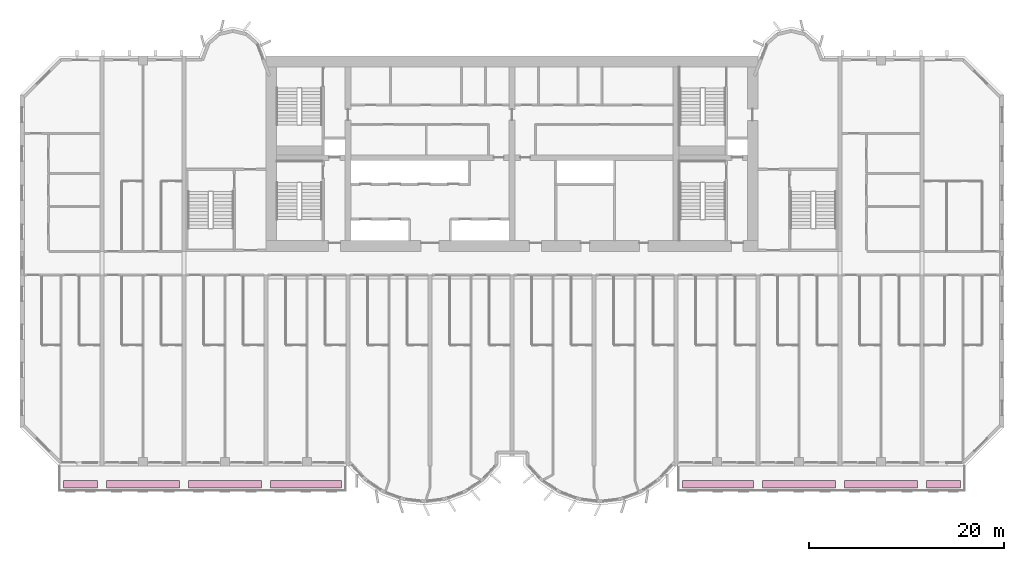
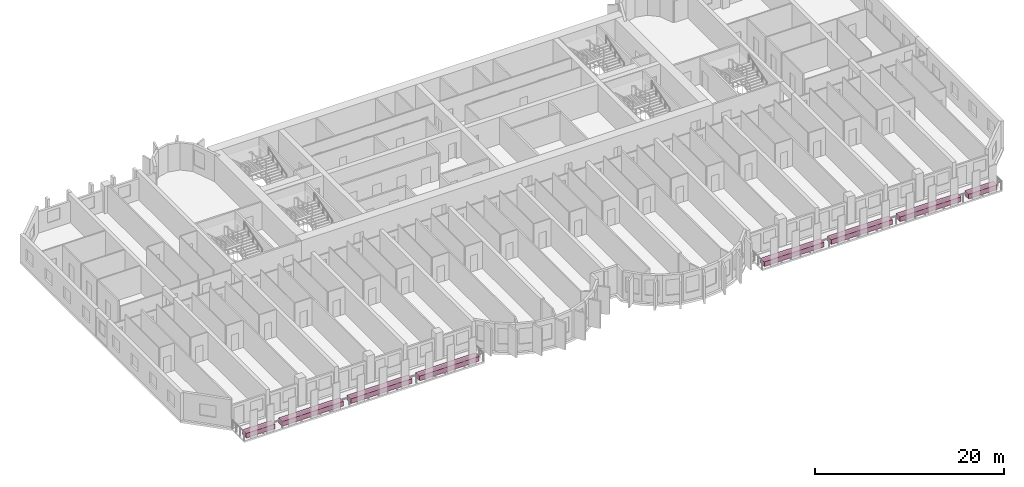
# One storey, part 15 of 15: 8 furniture elements.
"""IFC4 building model written with IfcOpenShell, lengths in metres."""

from ifc_helpers import new_model, si_unit, direction, frame, origin, origin_2d, place, context, subcontext, project, spatial, rectangle, extrude, source, transform, mapped, material, type_object, element, save


model = new_model("IFC4")

# Units and contexts
model_context = context("Model", 3, precision=1e-05, world=origin(), true_north=direction((0.0, 1.0)))
body_context = subcontext(model_context, "Body", "Model", "MODEL_VIEW")
ifc_project = project(units=[si_unit("LENGTHUNIT", "METRE"), si_unit("AREAUNIT", "SQUARE_METRE"), si_unit("VOLUMEUNIT", "CUBIC_METRE"), si_unit("PLANEANGLEUNIT", "RADIAN"), si_unit("MASSUNIT", "GRAM", prefix="KILO")], contexts=[model_context])

# Site, building, storey
site_placement = place(None, origin())
site = spatial("IfcSite", under=ifc_project, at=site_placement, CompositionType="ELEMENT")
building_placement = place(site_placement, origin())
building = spatial("IfcBuilding", under=site, at=building_placement, Name="Vanashikhar Sky Hotel", CompositionType="ELEMENT")
storey_placement = place(building_placement, frame((0.0, 0.0, 31.60009765625)))
storey = spatial("IfcBuildingStorey", under=building, at=storey_placement, Name="L06", CompositionType="ELEMENT", Elevation=31.60009765625)

# Furniture
ifc_material = material(Name="Planting soil and shrubs")
furniture_type = type_object("IfcFurnitureType", Name="Planter trough", AssemblyPlace="NOTDEFINED", PredefinedType="USERDEFINED", material=ifc_material)
shared_shape_1 = source(origin(), body_context, "Body", "SweptSolid", [
    extrude(rectangle(XDim=3.5, YDim=0.800048828125, at=origin_2d()), origin(), (0.0, 0.0, 1.0), 0.60009765625),
])
for number, where, z_axis, x_axis, name in (
    (1, (6.199951171875, -1.85009765625, -0.050048828125), (0.0, 0.0, 1.0), (1.0, 0.0, 0.0), "PLANTER with climbers"),
    (2, (94.60009765625, -1.85009765625, -0.050048828125), (0.0, 0.0, 1.0), (1.0, 0.0, 0.0), "PLANTER with climbers"),
):
    element("IfcFurniture", number, at=place(storey_placement, frame(where, z_axis=z_axis, x_axis=x_axis)), inside=storey, type_object=furniture_type, Name=name, ObjectType="PLANTER", PredefinedType="USERDEFINED", context=body_context, shape_type="MappedRepresentation", body=[
        mapped(shared_shape_1, transform((0.0, 0.0, 0.0), scale=1.0)),
    ])
shared_shape_2 = source(origin(), body_context, "Body", "SweptSolid", [
    extrude(rectangle(XDim=7.5, YDim=0.800048828125, at=origin_2d()), origin(), (0.0, 0.0, 1.0), 0.60009765625),
])
for number, where, z_axis, x_axis, name in (
    (3, (12.60009765625, -1.85009765625, -0.050048828125), (0.0, 0.0, 1.0), (1.0, 0.0, 0.0), "PLANTER with climbers"),
    (4, (21.0, -1.85009765625, -0.050048828125), (0.0, 0.0, 1.0), (1.0, 0.0, 0.0), "PLANTER with climbers"),
    (5, (79.800048828125, -1.85009765625, -0.050048828125), (0.0, 0.0, 1.0), (1.0, 0.0, 0.0), "PLANTER with climbers"),
    (6, (88.199951171875, -1.85009765625, -0.050048828125), (0.0, 0.0, 1.0), (1.0, 0.0, 0.0), "PLANTER with climbers"),
):
    element("IfcFurniture", number, at=place(storey_placement, frame(where, z_axis=z_axis, x_axis=x_axis)), inside=storey, type_object=furniture_type, Name=name, ObjectType="PLANTER", PredefinedType="USERDEFINED", context=body_context, shape_type="MappedRepresentation", body=[
        mapped(shared_shape_2, transform((0.0, 0.0, 0.0), scale=1.0)),
    ])
shared_shape_3 = source(origin(), body_context, "Body", "SweptSolid", [
    extrude(rectangle(XDim=7.300048828125, YDim=0.800048828125, at=origin_2d()), origin(), (0.0, 0.0, 1.0), 0.60009765625),
])
for number, where, z_axis, x_axis, name in (
    (7, (29.300048828125, -1.85009765625, -0.050048828125), (0.0, 0.0, 1.0), (1.0, 0.0, 0.0), "PLANTER with climbers"),
    (8, (71.5, -1.85009765625, -0.050048828125), (0.0, 0.0, 1.0), (1.0, 0.0, 0.0), "PLANTER with climbers"),
):
    element("IfcFurniture", number, at=place(storey_placement, frame(where, z_axis=z_axis, x_axis=x_axis)), inside=storey, type_object=furniture_type, Name=name, ObjectType="PLANTER", PredefinedType="USERDEFINED", context=body_context, shape_type="MappedRepresentation", body=[
        mapped(shared_shape_3, transform((0.0, 0.0, 0.0), scale=1.0)),
    ])

save(model, "model.ifc")
